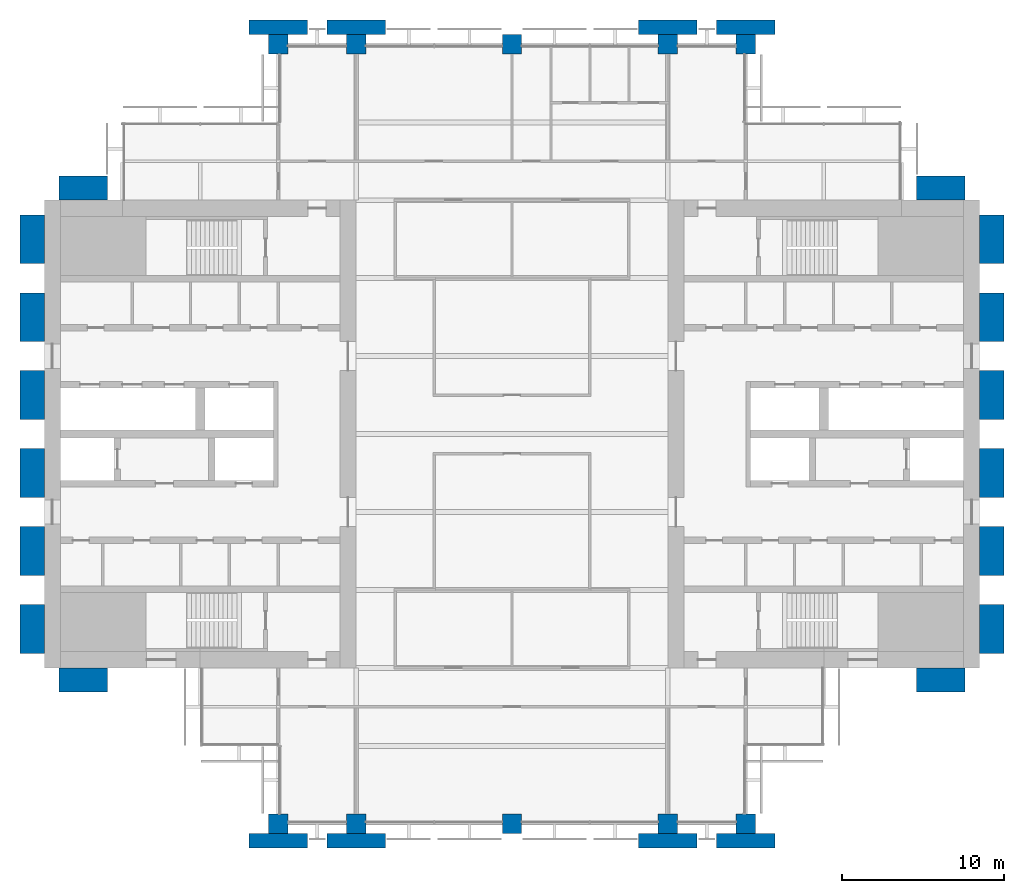
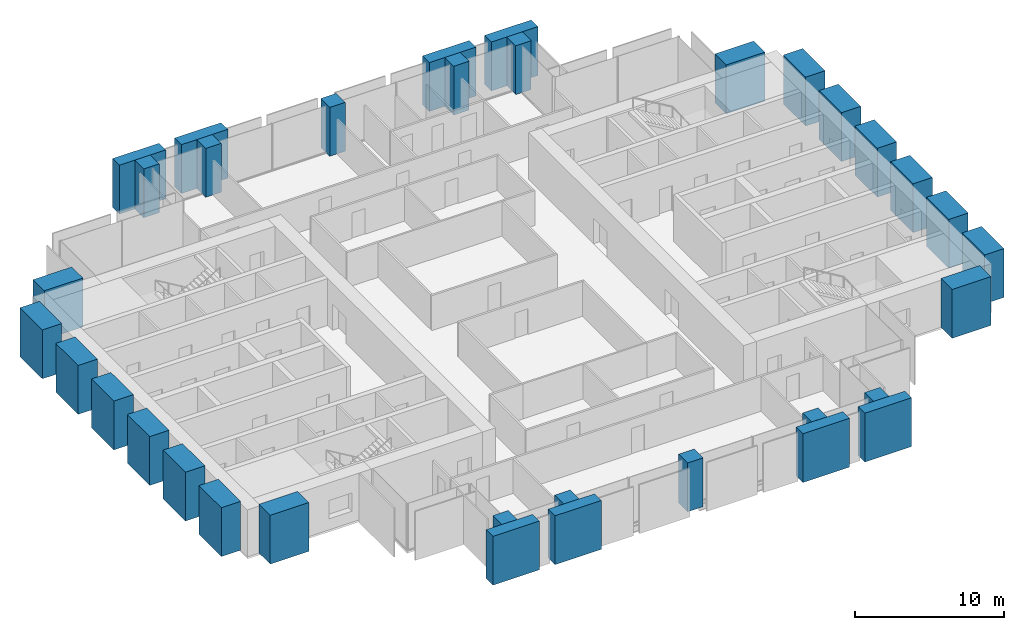
# One storey, part 1 of 14: 34 columns.
"""IFC4 building model written with IfcOpenShell, lengths in metres."""

from ifc_helpers import new_model, si_unit, direction, frame, origin, origin_2d, place, context, subcontext, project, spatial, rectangle, extrude, material, material_profile, profile_set, type_object, element, save


model = new_model("IFC4")

# Units and contexts
model_context = context("Model", 3, precision=1e-05, world=origin(), true_north=direction((0.0, 1.0)))
body_context = subcontext(model_context, "Body", "Model", "MODEL_VIEW")
ifc_project = project(units=[si_unit("LENGTHUNIT", "METRE"), si_unit("AREAUNIT", "SQUARE_METRE"), si_unit("VOLUMEUNIT", "CUBIC_METRE"), si_unit("PLANEANGLEUNIT", "RADIAN"), si_unit("MASSUNIT", "GRAM", prefix="KILO")], contexts=[model_context])

# Site, building, storey
site_placement = place(None, origin())
site = spatial("IfcSite", under=ifc_project, at=site_placement, CompositionType="ELEMENT")
building_placement = place(site_placement, origin())
building = spatial("IfcBuilding", under=site, at=building_placement, Name="Baori Bourse Tower", CompositionType="ELEMENT")
storey_placement = place(building_placement, frame((0.0, 0.0, 124.10009765625)))
storey = spatial("IfcBuildingStorey", under=building, at=storey_placement, Name="L26", CompositionType="ELEMENT", Elevation=124.10009765625)

# Columns
ifc_material_1 = material(Name="Concrete f'c 60 MPa", Category="concrete")
ifc_material_profile_1 = material_profile(ifc_material_1, rectangle(XDim=3.60009765625, YDim=0.89990234375, at=origin_2d()), Name="RC 3600x900")
ifc_profile_set_1 = profile_set([ifc_material_profile_1], Name="Concrete f'c 60 MPa")
column_type_1 = type_object("IfcColumnType", Name="FN3 Brick pilaster 3600x900", PredefinedType="PILASTER", material=ifc_profile_set_1)
for number, where, z_axis, x_axis, name in (
    (1, (14.39990234375, -1.050048828125, 0.0), (0.0, 0.0, 1.0), (1.0, 0.0, 0.0), "Brick pilaster L26 17"),
    (2, (19.199951171875, -1.050048828125, 0.0), (0.0, 0.0, 1.0), (1.0, 0.0, 0.0), "Brick pilaster L26 18"),
    (3, (38.39990234375, -1.050048828125, 0.0), (0.0, 0.0, 1.0), (1.0, 0.0, 0.0), "Brick pilaster L26 19"),
    (4, (43.199951171875, -1.050048828125, 0.0), (0.0, 0.0, 1.0), (1.0, 0.0, 0.0), "Brick pilaster L26 20"),
    (5, (14.39990234375, 49.050048828125, 0.0), (0.0, 0.0, 1.0), (1.0, 0.0, 0.0), "Brick pilaster L26 21"),
    (6, (19.199951171875, 49.050048828125, 0.0), (0.0, 0.0, 1.0), (1.0, 0.0, 0.0), "Brick pilaster L26 22"),
    (7, (38.39990234375, 49.050048828125, 0.0), (0.0, 0.0, 1.0), (1.0, 0.0, 0.0), "Brick pilaster L26 23"),
    (8, (43.199951171875, 49.050048828125, 0.0), (0.0, 0.0, 1.0), (1.0, 0.0, 0.0), "Brick pilaster L26 24"),
):
    element("IfcColumn", number, at=place(storey_placement, frame(where, z_axis=z_axis, x_axis=x_axis)), inside=storey, type_object=column_type_1, Name=name, PredefinedType="PILASTER", context=body_context, shape_type="SweptSolid", body=[
        extrude(rectangle(XDim=3.60009765625, YDim=0.89990234375, at=origin_2d()), origin(), (0.0, 0.0, 1.0), 4.0),
    ])
ifc_material_2 = material(Name="Concrete f'c 60 MPa", Category="concrete")
ifc_material_profile_2 = material_profile(ifc_material_2, rectangle(XDim=3.0, YDim=1.5, at=origin_2d()), Name="RC 3000x1500")
ifc_profile_set_2 = profile_set([ifc_material_profile_2], Name="Concrete f'c 60 MPa")
column_type_2 = type_object("IfcColumnType", Name="FN4 Brick flank pilaster 3000x1500", PredefinedType="PILASTER", material=ifc_profile_set_2)
for number, where, z_axis, x_axis, name in (
    (9, (55.199951171875, 8.85009765625, 0.0), (0.0, 0.0, 1.0), (1.0, 0.0, 0.0), "Brick pilaster L26 1"),
    (10, (58.35009765625, 12.0, 0.0), (0.0, 0.0, 1.0), (0.0, 1.0, 0.0), "Brick pilaster L26 2"),
    (11, (58.35009765625, 16.800048828125, 0.0), (0.0, 0.0, 1.0), (0.0, 1.0, 0.0), "Brick pilaster L26 3"),
    (12, (58.35009765625, 21.60009765625, 0.0), (0.0, 0.0, 1.0), (0.0, 1.0, 0.0), "Brick pilaster L26 4"),
    (13, (58.35009765625, 26.39990234375, 0.0), (0.0, 0.0, 1.0), (0.0, 1.0, 0.0), "Brick pilaster L26 5"),
    (14, (58.35009765625, 31.199951171875, 0.0), (0.0, 0.0, 1.0), (0.0, 1.0, 0.0), "Brick pilaster L26 6"),
    (15, (58.35009765625, 36.0, 0.0), (0.0, 0.0, 1.0), (0.0, 1.0, 0.0), "Brick pilaster L26 7"),
    (16, (55.199951171875, 39.14990234375, 0.0), (0.0, 0.0, 1.0), (1.0, 0.0, 0.0), "Brick pilaster L26 8"),
    (17, (2.39990234375, 39.14990234375, 0.0), (0.0, 0.0, 1.0), (1.0, 0.0, 0.0), "Brick pilaster L26 9"),
    (18, (-0.75, 12.0, 0.0), (0.0, 0.0, 1.0), (0.0, 1.0, 0.0), "Brick pilaster L26 10"),
    (19, (-0.75, 16.800048828125, 0.0), (0.0, 0.0, 1.0), (0.0, 1.0, 0.0), "Brick pilaster L26 11"),
    (20, (-0.75, 21.60009765625, 0.0), (0.0, 0.0, 1.0), (0.0, 1.0, 0.0), "Brick pilaster L26 12"),
    (21, (-0.75, 26.39990234375, 0.0), (0.0, 0.0, 1.0), (0.0, 1.0, 0.0), "Brick pilaster L26 13"),
    (22, (-0.75, 31.199951171875, 0.0), (0.0, 0.0, 1.0), (0.0, 1.0, 0.0), "Brick pilaster L26 14"),
    (23, (-0.75, 36.0, 0.0), (0.0, 0.0, 1.0), (0.0, 1.0, 0.0), "Brick pilaster L26 15"),
    (24, (2.39990234375, 8.85009765625, 0.0), (0.0, 0.0, 1.0), (1.0, 0.0, 0.0), "Brick pilaster L26 16"),
):
    element("IfcColumn", number, at=place(storey_placement, frame(where, z_axis=z_axis, x_axis=x_axis)), inside=storey, type_object=column_type_2, Name=name, PredefinedType="PILASTER", context=body_context, shape_type="SweptSolid", body=[
        extrude(rectangle(XDim=3.0, YDim=1.5, at=origin_2d()), origin(), (0.0, 0.0, 1.0), 4.0),
    ])
ifc_material_3 = material(Name="Concrete f'c 60 MPa", Category="concrete")
ifc_material_profile_3 = material_profile(ifc_material_3, rectangle(XDim=1.199951171875, YDim=1.199951171875, at=origin_2d()), Name="RC 1200x1200")
ifc_profile_set_3 = profile_set([ifc_material_profile_3], Name="Concrete f'c 60 MPa")
column_type_3 = type_object("IfcColumnType", Name="Perimeter column 60 RC 1200x1200", PredefinedType="COLUMN", material=ifc_profile_set_3)
for number, where, z_axis, x_axis, name in (
    (25, (14.39990234375, 0.0, 0.0), (0.0, 0.0, 1.0), (1.0, 0.0, 0.0), "Perimeter column L26"),
    (26, (19.199951171875, 0.0, 0.0), (0.0, 0.0, 1.0), (1.0, 0.0, 0.0), "Perimeter column L26"),
    (27, (28.800048828125, 0.0, 0.0), (0.0, 0.0, 1.0), (1.0, 0.0, 0.0), "Perimeter column L26"),
    (28, (38.39990234375, 0.0, 0.0), (0.0, 0.0, 1.0), (1.0, 0.0, 0.0), "Perimeter column L26"),
    (29, (43.199951171875, 0.0, 0.0), (0.0, 0.0, 1.0), (1.0, 0.0, 0.0), "Perimeter column L26"),
    (30, (14.39990234375, 48.0, 0.0), (0.0, 0.0, 1.0), (1.0, 0.0, 0.0), "Perimeter column L26"),
    (31, (19.199951171875, 48.0, 0.0), (0.0, 0.0, 1.0), (1.0, 0.0, 0.0), "Perimeter column L26"),
    (32, (28.800048828125, 48.0, 0.0), (0.0, 0.0, 1.0), (1.0, 0.0, 0.0), "Perimeter column L26"),
    (33, (38.39990234375, 48.0, 0.0), (0.0, 0.0, 1.0), (1.0, 0.0, 0.0), "Perimeter column L26"),
    (34, (43.199951171875, 48.0, 0.0), (0.0, 0.0, 1.0), (1.0, 0.0, 0.0), "Perimeter column L26"),
):
    element("IfcColumn", number, at=place(storey_placement, frame(where, z_axis=z_axis, x_axis=x_axis)), inside=storey, type_object=column_type_3, Name=name, PredefinedType="COLUMN", context=body_context, shape_type="SweptSolid", body=[
        extrude(rectangle(XDim=1.199951171875, YDim=1.199951171875, at=origin_2d()), origin(), (0.0, 0.0, 1.0), 4.0),
    ])

save(model, "model.ifc")
